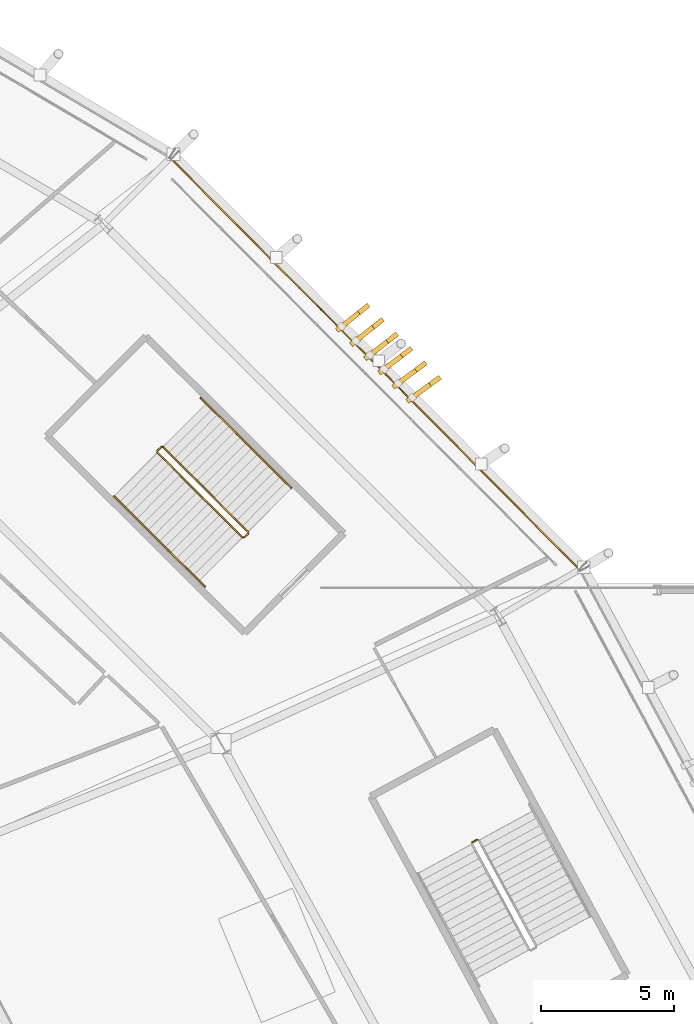
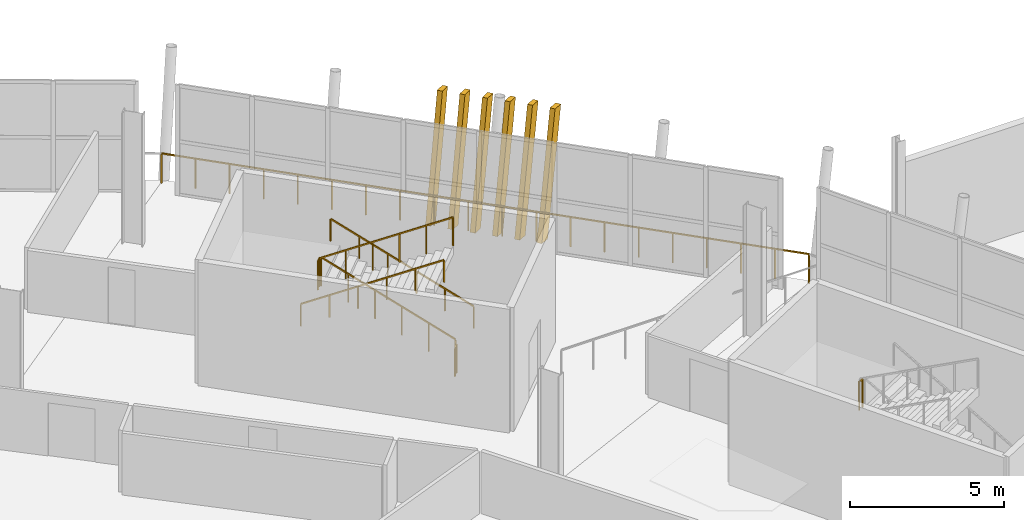
# One storey, part 158 of 168: 8 railings, 6 shading devices.
"""IFC4 building model written with IfcOpenShell, lengths in metres."""

from ifc_helpers import new_model, si_unit, direction, frame, origin, origin_2d, place, context, subcontext, project, spatial, rectangle, extrude, material, material_profile, profile_set, type_object, element, save


model = new_model("IFC4")

# Units and contexts
model_context = context("Model", 3, precision=1e-05, world=origin(), true_north=direction((0.0, 1.0)))
body_context = subcontext(model_context, "Body", "Model", "MODEL_VIEW")
ifc_project = project(units=[si_unit("LENGTHUNIT", "METRE"), si_unit("AREAUNIT", "SQUARE_METRE"), si_unit("VOLUMEUNIT", "CUBIC_METRE"), si_unit("PLANEANGLEUNIT", "RADIAN"), si_unit("MASSUNIT", "GRAM", prefix="KILO")], contexts=[model_context])

# Site, building, storey
site_placement = place(None, origin())
site = spatial("IfcSite", under=ifc_project, at=site_placement, CompositionType="ELEMENT")
building_placement = place(site_placement, origin())
building = spatial("IfcBuilding", under=site, at=building_placement, Name="Zlatoyarsky Gate Stadium", CompositionType="ELEMENT")
storey_placement = place(building_placement, frame((0.0, 0.0, 15.60009765625)))
storey = spatial("IfcBuildingStorey", under=building, at=storey_placement, Name="L03", CompositionType="ELEMENT", Elevation=15.60009765625)

# Railings
ifc_material_1 = material(Name="Powder-coated steel tubular guardrail", Category="steel")
railing_type_1 = type_object("IfcRailingType", Name="CONCOURSE SLAB EDGE GUARDRAIL 1200", PredefinedType="GUARDRAIL", material=ifc_material_1)
railing_1_placement = place(storey_placement, frame((194.5908203125, 117.260986328125, 0.0)))
element("IfcRailing", 1, at=railing_1_placement, inside=storey, type_object=railing_type_1, Name="L03 outer slab edge guardrail 02", PredefinedType="GUARDRAIL", context=body_context, shape_type="SweptSolid", body=[
    extrude(rectangle(XDim=0.048095703125, YDim=0.048095703125, at=origin_2d()), frame((0.0, 0.0, 1.17578125), z_axis=(-0.704921221099, 0.709285606822, 0.0), x_axis=(-0.709285606822, -0.704921221099, 0.0)), (0.0, 0.0, 1.0), 21.760498046875),
    extrude(rectangle(XDim=0.0419921875, YDim=0.0419921875, at=origin_2d()), origin(), (0.0, 0.0, 1.0), 1.15185546875),
    extrude(rectangle(XDim=0.0419921875, YDim=0.0419921875, at=origin_2d()), frame((-0.807373046875, 0.812255859375, 0.0)), (0.0, 0.0, 1.0), 1.15185546875),
    extrude(rectangle(XDim=0.0419921875, YDim=0.0419921875, at=origin_2d()), frame((-1.61474609375, 1.624755859375, 0.0)), (0.0, 0.0, 1.0), 1.15185546875),
    extrude(rectangle(XDim=0.0419921875, YDim=0.0419921875, at=origin_2d()), frame((-2.422119140625, 2.43701171875, 0.0)), (0.0, 0.0, 1.0), 1.15185546875),
    extrude(rectangle(XDim=0.0419921875, YDim=0.0419921875, at=origin_2d()), frame((-3.229248046875, 3.249267578125, 0.0)), (0.0, 0.0, 1.0), 1.15185546875),
    extrude(rectangle(XDim=0.0419921875, YDim=0.0419921875, at=origin_2d()), frame((-4.03662109375, 4.061767578125, 0.0)), (0.0, 0.0, 1.0), 1.15185546875),
    extrude(rectangle(XDim=0.0419921875, YDim=0.0419921875, at=origin_2d()), frame((-4.843994140625, 4.8740234375, 0.0)), (0.0, 0.0, 1.0), 1.15185546875),
    extrude(rectangle(XDim=0.0419921875, YDim=0.0419921875, at=origin_2d()), frame((-5.6513671875, 5.686279296875, 0.0)), (0.0, 0.0, 1.0), 1.15185546875),
    extrude(rectangle(XDim=0.0419921875, YDim=0.0419921875, at=origin_2d()), frame((-6.458740234375, 6.498779296875, 0.0)), (0.0, 0.0, 1.0), 1.15185546875),
    extrude(rectangle(XDim=0.0419921875, YDim=0.0419921875, at=origin_2d()), frame((-7.26611328125, 7.31103515625, 0.0)), (0.0, 0.0, 1.0), 1.15185546875),
    extrude(rectangle(XDim=0.0419921875, YDim=0.0419921875, at=origin_2d()), frame((-8.0732421875, 8.123291015625, 0.0)), (0.0, 0.0, 1.0), 1.15185546875),
    extrude(rectangle(XDim=0.0419921875, YDim=0.0419921875, at=origin_2d()), frame((-8.880615234375, 8.935546875, 0.0)), (0.0, 0.0, 1.0), 1.15185546875),
    extrude(rectangle(XDim=0.0419921875, YDim=0.0419921875, at=origin_2d()), frame((-9.68798828125, 9.748046875, 0.0)), (0.0, 0.0, 1.0), 1.15185546875),
    extrude(rectangle(XDim=0.0419921875, YDim=0.0419921875, at=origin_2d()), frame((-10.495361328125, 10.560302734375, 0.0)), (0.0, 0.0, 1.0), 1.15185546875),
    extrude(rectangle(XDim=0.0419921875, YDim=0.0419921875, at=origin_2d()), frame((-11.302734375, 11.37255859375, 0.0)), (0.0, 0.0, 1.0), 1.15185546875),
    extrude(rectangle(XDim=0.0419921875, YDim=0.0419921875, at=origin_2d()), frame((-12.110107421875, 12.18505859375, 0.0)), (0.0, 0.0, 1.0), 1.15185546875),
    extrude(rectangle(XDim=0.0419921875, YDim=0.0419921875, at=origin_2d()), frame((-12.917236328125, 12.997314453125, 0.0)), (0.0, 0.0, 1.0), 1.15185546875),
    extrude(rectangle(XDim=0.0419921875, YDim=0.0419921875, at=origin_2d()), frame((-13.724609375, 13.8095703125, 0.0)), (0.0, 0.0, 1.0), 1.15185546875),
    extrude(rectangle(XDim=0.0419921875, YDim=0.0419921875, at=origin_2d()), frame((-14.531982421875, 14.6220703125, 0.0)), (0.0, 0.0, 1.0), 1.15185546875),
    extrude(rectangle(XDim=0.0419921875, YDim=0.0419921875, at=origin_2d()), frame((-15.33935546875, 15.434326171875, 0.0)), (0.0, 0.0, 1.0), 1.15185546875),
])
ifc_material_2 = material(Name="Powder-coated steel stair guardrail", Category="steel")
railing_type_2 = type_object("IfcRailingType", Name="PAINTED STEEL STAIR WELL GUARDRAIL 1150", PredefinedType="GUARDRAIL", material=ifc_material_2)
railing_2_placement = place(storey_placement, frame((182.170654296875, 118.681396484375, 0.162353515625)))
element("IfcRailing", 2, at=railing_2_placement, inside=storey, type_object=railing_type_2, Name="ST-02 L03 stair guard 1", PredefinedType="GUARDRAIL", context=body_context, shape_type="SweptSolid", body=[
    extrude(rectangle(XDim=0.048095703125, YDim=0.048095703125, at=origin_2d()), frame((0.0, 0.0, 1.1259765625), z_axis=(-0.623321812894, 0.620173241055, 0.47629304913), x_axis=(-0.705314101777, -0.708894927217, 0.0)), (0.0, 0.0, 1.0), 5.11767578125),
    extrude(rectangle(XDim=0.0419921875, YDim=0.0419921875, at=origin_2d()), origin(), (0.0, 0.0, 1.0), 1.101806640625),
    extrude(rectangle(XDim=0.0419921875, YDim=0.0419921875, at=origin_2d()), frame((-0.637939453125, 0.634765625, 0.487548828125)), (0.0, 0.0, 1.0), 1.101806640625),
    extrude(rectangle(XDim=0.0419921875, YDim=0.0419921875, at=origin_2d()), frame((-1.27587890625, 1.26953125, 0.97509765625)), (0.0, 0.0, 1.0), 1.101806640625),
    extrude(rectangle(XDim=0.0419921875, YDim=0.0419921875, at=origin_2d()), frame((-1.9140625, 1.904296875, 1.46240234375)), (0.0, 0.0, 1.0), 1.101806640625),
    extrude(rectangle(XDim=0.0419921875, YDim=0.0419921875, at=origin_2d()), frame((-2.552001953125, 2.5390625, 1.949951171875)), (0.0, 0.0, 1.0), 1.101806640625),
    extrude(rectangle(XDim=0.0419921875, YDim=0.0419921875, at=origin_2d()), frame((-3.18994140625, 3.173828125, 2.4375)), (0.0, 0.0, 1.0), 1.101806640625),
])
railing_3_placement = place(storey_placement, frame((178.909912109375, 121.85498046875, 2.599853515625)))
element("IfcRailing", 3, at=railing_3_placement, inside=storey, type_object=railing_type_2, Name="ST-02 L03 stair guard 2", PredefinedType="GUARDRAIL", context=body_context, shape_type="SweptSolid", body=[
    extrude(rectangle(XDim=0.048095703125, YDim=0.048095703125, at=origin_2d()), frame((0.0, 0.0, 1.1259765625), z_axis=(-0.705884473151, -0.708326979978, 0.0), x_axis=(0.708326979978, -0.705884473151, 0.0)), (0.0, 0.0, 1.0), 0.199951171875),
    extrude(rectangle(XDim=0.0419921875, YDim=0.0419921875, at=origin_2d()), origin(), (0.0, 0.0, 1.0), 1.101806640625),
    extrude(rectangle(XDim=0.0419921875, YDim=0.0419921875, at=origin_2d()), frame((-0.14111328125, -0.1416015625, 0.0)), (0.0, 0.0, 1.0), 1.101806640625),
])
railing_4_placement = place(storey_placement, frame((178.76904296875, 121.642578125, 2.762451171875)))
element("IfcRailing", 4, at=railing_4_placement, inside=storey, type_object=railing_type_2, Name="ST-02 L03 stair guard 3", PredefinedType="GUARDRAIL", context=body_context, shape_type="SweptSolid", body=[
    extrude(rectangle(XDim=0.048095703125, YDim=0.048095703125, at=origin_2d()), frame((0.0, 0.0, 1.1259765625), z_axis=(0.623350982153, -0.620154799724, 0.476278886188), x_axis=(0.705286975187, 0.708921915751, 0.0)), (0.0, 0.0, 1.0), 5.117919921875),
    extrude(rectangle(XDim=0.0419921875, YDim=0.0419921875, at=origin_2d()), origin(), (0.0, 0.0, 1.0), 1.101806640625),
    extrude(rectangle(XDim=0.0419921875, YDim=0.0419921875, at=origin_2d()), frame((0.637939453125, -0.634765625, 0.487548828125)), (0.0, 0.0, 1.0), 1.101806640625),
    extrude(rectangle(XDim=0.0419921875, YDim=0.0419921875, at=origin_2d()), frame((1.276123046875, -1.26953125, 0.97509765625)), (0.0, 0.0, 1.0), 1.101806640625),
    extrude(rectangle(XDim=0.0419921875, YDim=0.0419921875, at=origin_2d()), frame((1.9140625, -1.904296875, 1.46240234375)), (0.0, 0.0, 1.0), 1.101806640625),
    extrude(rectangle(XDim=0.0419921875, YDim=0.0419921875, at=origin_2d()), frame((2.55224609375, -2.5390625, 1.949951171875)), (0.0, 0.0, 1.0), 1.101806640625),
    extrude(rectangle(XDim=0.0419921875, YDim=0.0419921875, at=origin_2d()), frame((3.190185546875, -3.173828125, 2.4375)), (0.0, 0.0, 1.0), 1.101806640625),
])
railing_5_placement = place(storey_placement, frame((182.1708984375, 118.610595703125, 0.0)))
element("IfcRailing", 5, at=railing_5_placement, inside=storey, type_object=railing_type_2, Name="ST-02 L03 stair guard 4", PredefinedType="GUARDRAIL", context=body_context, shape_type="SweptSolid", body=[
    extrude(rectangle(XDim=0.048095703125, YDim=0.048095703125, at=origin_2d()), frame((0.0, 0.0, 1.1259765625), z_axis=(-0.705884473151, -0.708326979978, 0.0), x_axis=(0.708326979978, -0.705884473151, 0.0)), (0.0, 0.0, 1.0), 0.199951171875),
    extrude(rectangle(XDim=0.0419921875, YDim=0.0419921875, at=origin_2d()), origin(), (0.0, 0.0, 1.0), 1.101806640625),
    extrude(rectangle(XDim=0.0419921875, YDim=0.0419921875, at=origin_2d()), frame((-0.14111328125, -0.1416015625, 0.0)), (0.0, 0.0, 1.0), 1.101806640625),
])
railing_6_placement = place(storey_placement, frame((190.7509765625, 107.14208984375, 2.599853515625)))
element("IfcRailing", 6, at=railing_6_placement, inside=storey, type_object=railing_type_2, Name="ST-13 L03 stair guard 2", PredefinedType="GUARDRAIL", context=body_context, shape_type="SweptSolid", body=[
    extrude(rectangle(XDim=0.048095703125, YDim=0.048095703125, at=origin_2d()), frame((0.0, 0.0, 1.1259765625), z_axis=(-0.878780312785, -0.477226530971, 0.0), x_axis=(0.477226530971, -0.878780312785, 0.0)), (0.0, 0.0, 1.0), 0.199951171875),
    extrude(rectangle(XDim=0.0419921875, YDim=0.0419921875, at=origin_2d()), origin(), (0.0, 0.0, 1.0), 1.101806640625),
    extrude(rectangle(XDim=0.0419921875, YDim=0.0419921875, at=origin_2d()), frame((-0.17578125, -0.095458984375, 0.0)), (0.0, 0.0, 1.0), 1.101806640625),
])

# Shading devices
ifc_material_3 = material(Name="Precast concrete C40/50 stone-toned architectural rib", Category="masonry")
ifc_material_profile = material_profile(ifc_material_3, rectangle(XDim=0.179931640625, YDim=0.47998046875, at=origin_2d()), Name="RIB 180X480")
ifc_profile_set = profile_set([ifc_material_profile], Name="Precast concrete C40/50 stone-toned architectural rib")
shading_device_type = type_object("IfcShadingDeviceType", Name="PRECAST RIBBED BOWL LOUVRE FIN 180X480", PredefinedType="JALOUSIE", material=ifc_profile_set)
for number, where, z_axis, x_axis, name in (
    (7, (188.3212890625, 123.70849609375, -0.010009765625), (0.178764838979, 0.130791079676, 0.975159897567), (-0.590473353714, 0.807057134628, 0.0), "Leaning bowl louvre fin L03-02-1"),
    (8, (187.792724609375, 124.240478515625, -0.010009765625), (0.177539254658, 0.132426402323, 0.975163094576), (-0.597894223616, 0.801575010443, 0.0), "Leaning bowl louvre fin L03-02-2"),
    (9, (187.26416015625, 124.7724609375, -0.010009765625), (0.176314133342, 0.134011003117, 0.975168896872), (-0.605118362846, 0.796135520465, 0.0), "Leaning bowl louvre fin L03-02-3"),
    (10, (186.7353515625, 125.304443359375, -0.010009765625), (0.175088294997, 0.135595078764, 0.975170786873), (-0.61229416772, 0.790630034957, 0.0), "Leaning bowl louvre fin L03-02-4"),
    (11, (186.206787109375, 125.836669921875, -0.010009765625), (0.173861754368, 0.137178610191, 0.975168764509), (-0.619419865721, 0.785059889404, 0.0), "Leaning bowl louvre fin L03-02-5"),
    (12, (185.67822265625, 126.36865234375, -0.010009765625), (0.172634526226, 0.138761578346, 0.975162829854), (-0.626493721228, 0.779426466873, 0.0), "Leaning bowl louvre fin L03-02-6"),
):
    element("IfcShadingDevice", number, at=place(storey_placement, frame(where, z_axis=z_axis, x_axis=x_axis)), inside=storey, type_object=shading_device_type, Name=name, PredefinedType="JALOUSIE", context=body_context, shape_type="SweptSolid", body=[
        extrude(rectangle(XDim=0.179931640625, YDim=0.47998046875, at=origin_2d()), origin(), (0.0, 0.0, 1.0), 4.778564453125),
    ])

# Railings
ifc_material_4 = material(Name="Brushed stainless steel 316 handrail", Category="steel")
railing_type_3 = type_object("IfcRailingType", Name="STAINLESS STEEL TUBULAR HANDRAIL 900", PredefinedType="HANDRAIL", material=ifc_material_4)
railing_7_placement = place(storey_placement, frame((183.79296875, 120.311767578125, 0.16650390625)))
element("IfcRailing", 13, at=railing_7_placement, inside=storey, type_object=railing_type_3, Name="ST-02 L03 stair handrail 1", PredefinedType="HANDRAIL", context=body_context, shape_type="SweptSolid", body=[
    extrude(rectangle(XDim=0.048095703125, YDim=0.048095703125, at=origin_2d()), frame((0.0, 0.0, 0.8759765625), z_axis=(-0.623349539585, 0.620174204722, 0.476255506316), x_axis=(-0.705298886343, -0.708910065469, 0.0)), (0.0, 0.0, 1.0), 5.458984375),
    extrude(rectangle(XDim=0.0419921875, YDim=0.0419921875, at=origin_2d()), origin(), (0.0, 0.0, 1.0), 0.851806640625),
    extrude(rectangle(XDim=0.0419921875, YDim=0.0419921875, at=origin_2d()), frame((-0.6806640625, 0.677001953125, 0.52001953125)), (0.0, 0.0, 1.0), 0.851806640625),
    extrude(rectangle(XDim=0.0419921875, YDim=0.0419921875, at=origin_2d()), frame((-1.361083984375, 1.354248046875, 1.0400390625)), (0.0, 0.0, 1.0), 0.851806640625),
    extrude(rectangle(XDim=0.0419921875, YDim=0.0419921875, at=origin_2d()), frame((-2.041748046875, 2.03125, 1.559814453125)), (0.0, 0.0, 1.0), 0.851806640625),
    extrude(rectangle(XDim=0.0419921875, YDim=0.0419921875, at=origin_2d()), frame((-2.72216796875, 2.70849609375, 2.079833984375)), (0.0, 0.0, 1.0), 0.851806640625),
    extrude(rectangle(XDim=0.0419921875, YDim=0.0419921875, at=origin_2d()), frame((-3.40283203125, 3.385498046875, 2.599853515625)), (0.0, 0.0, 1.0), 0.851806640625),
])
railing_8_placement = place(storey_placement, frame((177.14697265625, 120.01220703125, 2.766357421875)))
element("IfcRailing", 14, at=railing_8_placement, inside=storey, type_object=railing_type_3, Name="ST-02 L03 stair handrail 2", PredefinedType="HANDRAIL", context=body_context, shape_type="SweptSolid", body=[
    extrude(rectangle(XDim=0.048095703125, YDim=0.048095703125, at=origin_2d()), frame((0.0, 0.0, 0.8759765625), z_axis=(0.623308915757, -0.620178283332, 0.476303361757), x_axis=(0.705324317314, 0.708884763136, 0.0)), (0.0, 0.0, 1.0), 5.458984375),
    extrude(rectangle(XDim=0.0419921875, YDim=0.0419921875, at=origin_2d()), origin(), (0.0, 0.0, 1.0), 0.851806640625),
    extrude(rectangle(XDim=0.0419921875, YDim=0.0419921875, at=origin_2d()), frame((0.680419921875, -0.677001953125, 0.52001953125)), (0.0, 0.0, 1.0), 0.851806640625),
    extrude(rectangle(XDim=0.0419921875, YDim=0.0419921875, at=origin_2d()), frame((1.361083984375, -1.354248046875, 1.0400390625)), (0.0, 0.0, 1.0), 0.851806640625),
    extrude(rectangle(XDim=0.0419921875, YDim=0.0419921875, at=origin_2d()), frame((2.04150390625, -2.03125, 1.56005859375)), (0.0, 0.0, 1.0), 0.851806640625),
    extrude(rectangle(XDim=0.0419921875, YDim=0.0419921875, at=origin_2d()), frame((2.72216796875, -2.70849609375, 2.080078125)), (0.0, 0.0, 1.0), 0.851806640625),
    extrude(rectangle(XDim=0.0419921875, YDim=0.0419921875, at=origin_2d()), frame((3.402587890625, -3.385498046875, 2.60009765625)), (0.0, 0.0, 1.0), 0.851806640625),
])

save(model, "model.ifc")
